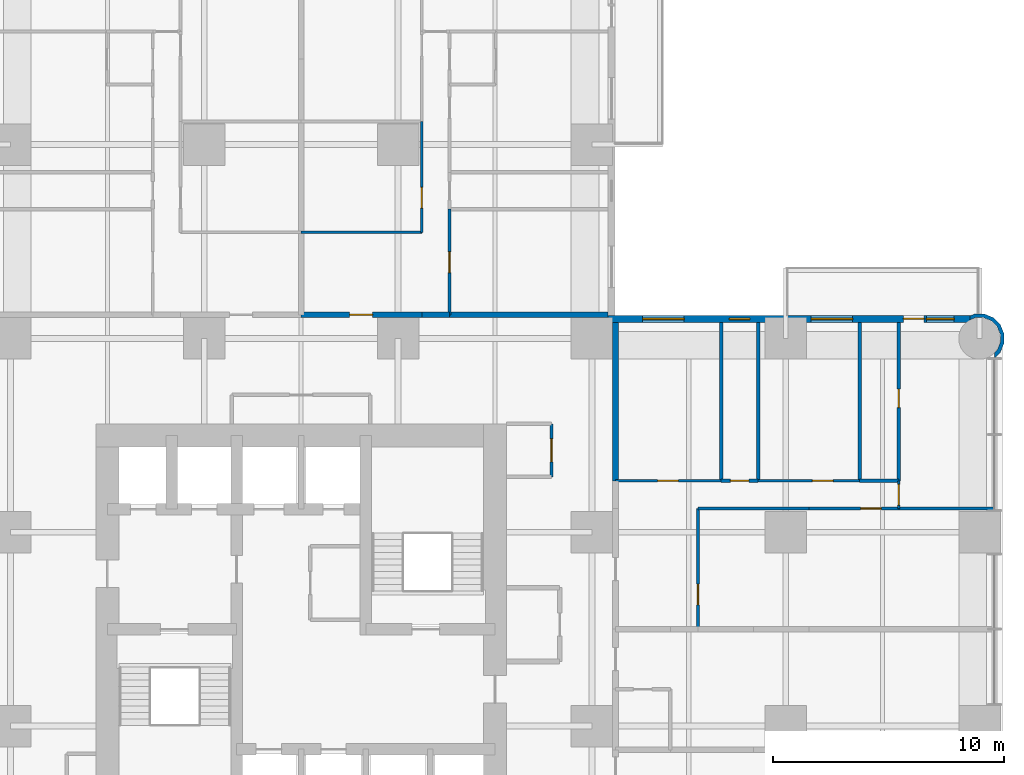
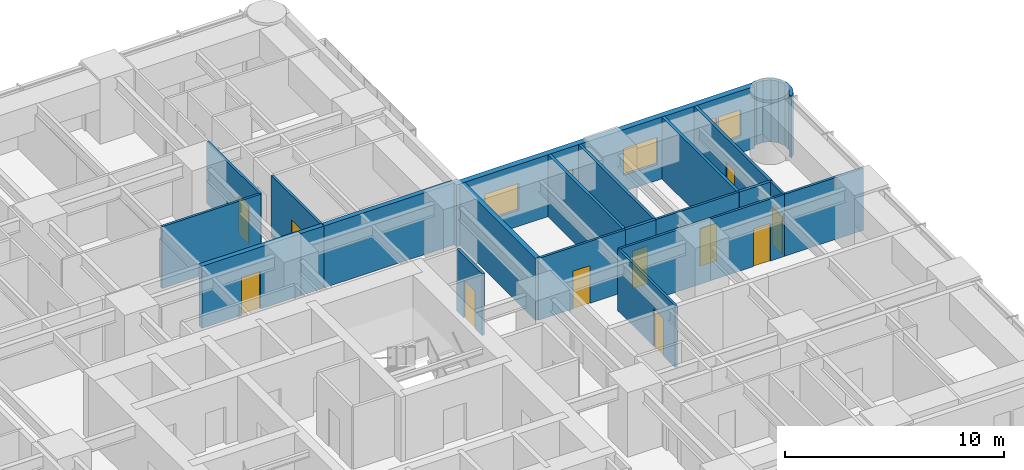
# One storey, part 14 of 17: 23 walls, 12 doors, 4 windows, 16 openings.
"""IFC4 building model written with IfcOpenShell, lengths in metres."""

from ifc_helpers import new_model, si_unit, direction, frame, frame_2d, origin, place, context, subcontext, project, spatial, polyline, rectangle, outline, extrude, material, layer, layer_set, type_object, element, fill, save


model = new_model("IFC4")

# Units and contexts
model_context = context("Model", 3, precision=1e-05, world=origin(), true_north=direction((0.0, 1.0)))
body_context = subcontext(model_context, "Body", "Model", "MODEL_VIEW")
ifc_project = project(units=[si_unit("LENGTHUNIT", "METRE"), si_unit("AREAUNIT", "SQUARE_METRE"), si_unit("VOLUMEUNIT", "CUBIC_METRE"), si_unit("PLANEANGLEUNIT", "RADIAN"), si_unit("MASSUNIT", "GRAM", prefix="KILO")], contexts=[model_context])

# Site, building, storey
site_placement = place(None, origin())
site = spatial("IfcSite", under=ifc_project, at=site_placement, CompositionType="ELEMENT")
building_placement = place(site_placement, origin())
building = spatial("IfcBuilding", under=site, at=building_placement, Name="Torre Alcanfor", CompositionType="ELEMENT")
storey_placement = place(building_placement, frame((0.0, 0.0, 56.10009765625)))
storey = spatial("IfcBuildingStorey", under=building, at=storey_placement, Name="L13", CompositionType="ELEMENT", Elevation=56.10009765625)

# Wall, opening, door
ifc_material_1 = material(Name="Concrete block masonry, hollow blocks NMX-C-404 9 MPa", Category="masonry")
ifc_layer_1 = layer(ifc_material_1, 0.25)
ifc_layer_set_1 = layer_set([ifc_layer_1], Name="Apartment entrance wall 250 EI 60")
wall_type_1 = type_object("IfcWallType", Name="Apartment entrance wall 250 EI 60", PredefinedType="PARTITIONING", material=ifc_layer_set_1)
wall_1_placement = place(storey_placement, frame((29.39990234375, 43.02490234375, 0.0), z_axis=(0.0, 0.0, 1.0), x_axis=(1.0, 0.0, 0.0)))
wall_1 = element("IfcWall", 1, at=wall_1_placement, inside=storey, type_object=wall_type_1, Name="Partition L13-CORR / L13-N2-ZAG", PredefinedType="PARTITIONING", context=body_context, shape_type="SweptSolid", body=[
    extrude(rectangle(XDim=5.22900390625, YDim=0.25, at=frame_2d((2.614501953125, 0.0))), origin(), (0.0, 0.0, 1.0), 3.449951171875),
])
opening_1_placement = place(wall_1_placement, frame((2.10009765625, 0.0, 0.0)))
opening_1 = element("IfcOpeningElement", 2, at=opening_1_placement, cuts=wall_1, Name="Opening D-A1", PredefinedType="OPENING", context=body_context, shape_type="SweptSolid", body=[
    extrude(rectangle(XDim=1.0, YDim=2.10009765625, at=frame_2d((0.5, 1.050048828125))), frame((0.0, 0.135009765625, 0.0), z_axis=(0.0, -1.0, 0.0), x_axis=(1.0, 0.0, 0.0)), (0.0, 0.0, 1.0), 0.27001953125),
])
ifc_material_2 = material(Name="Galvanised steel sheet ASTM A653", Category="steel")
door_type_1 = type_object("IfcDoorType", Name="Apartment entrance door FD60 1000x2100", OperationType="SINGLE_SWING_LEFT", PredefinedType="DOOR", material=ifc_material_2)
door_1_placement = place(opening_1_placement, origin())
door_1 = element("IfcDoor", 3, at=door_1_placement, inside=storey, type_object=door_type_1, Name="Apartment entrance L13-N2", OperationType="SINGLE_SWING_LEFT", OverallHeight=2.10009765625, OverallWidth=1.0, PredefinedType="DOOR", context=body_context, shape_type="SweptSolid", body=[
    extrude(rectangle(XDim=1.0, YDim=2.10009765625, at=frame_2d((0.5, 1.050048828125))), frame((0.0, 0.02490234375, 0.0), z_axis=(0.0, -1.0, 0.0), x_axis=(1.0, 0.0, 0.0)), (0.0, 0.0, 1.0), 0.050048828125),
])
fill(opening_1, door_1)

# Walls
wall_2_placement = place(storey_placement, frame((34.62890625, 43.02490234375, 0.0), z_axis=(0.0, 0.0, 1.0), x_axis=(1.0, 0.0, 0.0)))
element("IfcWall", 4, at=wall_2_placement, inside=storey, type_object=wall_type_1, Name="Partition L13-CORR / L13-N2-HALL", PredefinedType="PARTITIONING", context=body_context, shape_type="SweptSolid", body=[
    extrude(rectangle(XDim=1.2001953125, YDim=0.25, at=frame_2d((0.60009765625, 0.0))), origin(), (0.0, 0.0, 1.0), 3.449951171875),
])
for number, where, z_axis, x_axis, name in (
    (5, (35.8291015625, 43.02490234375, 0.0), (0.0, 0.0, 1.0), (1.0, 0.0, 0.0), "Partition L13-CORR / L13-N2-BED2"),
    (6, (43.02490234375, 42.699951171875, 0.0), (0.0, 0.0, 1.0), (0.0, -1.0, 0.0), "Partition L13-CORR / L13-E1-BED3"),
):
    element("IfcWall", number, at=place(storey_placement, frame(where, z_axis=z_axis, x_axis=x_axis)), inside=storey, type_object=wall_type_1, Name=name, PredefinedType="PARTITIONING", context=body_context, shape_type="SweptSolid", body=[
        extrude(rectangle(XDim=6.870849609375, YDim=0.25, at=frame_2d((3.435546875, 0.0))), origin(), (0.0, 0.0, 1.0), 3.449951171875),
    ])
ifc_material_3 = material(Name="Gypsum board on steel studs", Category="steel")
ifc_layer_2 = layer(ifc_material_3, 0.1201171875)
ifc_layer_set_2 = layer_set([ifc_layer_2], Name="Apartment partition 120")
wall_type_2 = type_object("IfcWallType", Name="Apartment partition 120", PredefinedType="PARTITIONING", material=ifc_layer_set_2)
wall_3_placement = place(storey_placement, frame((29.39990234375, 46.60009765625, 0.0), z_axis=(0.0, 0.0, 1.0), x_axis=(1.0, 0.0, 0.0)))
element("IfcWall", 7, at=wall_3_placement, inside=storey, type_object=wall_type_2, Name="Partition L13-N2-ZAG / L13-N2-FAMILY", PredefinedType="PARTITIONING", context=body_context, shape_type="SweptSolid", body=[
    extrude(rectangle(XDim=5.22900390625, YDim=0.1201171875, at=frame_2d((2.614501953125, 0.0))), origin(), (0.0, 0.0, 1.0), 3.449951171875),
])

# Wall, opening, door
wall_4_placement = place(storey_placement, frame((34.62890625, 51.39990234375, 0.0), z_axis=(0.0, 0.0, 1.0), x_axis=(0.0, -1.0, 0.0)))
wall_4 = element("IfcWall", 8, at=wall_4_placement, inside=storey, type_object=wall_type_2, Name="Partition L13-N2-FAMILY / L13-N2-HALL", PredefinedType="PARTITIONING", context=body_context, shape_type="SweptSolid", body=[
    extrude(rectangle(XDim=4.7998046875, YDim=0.1201171875, at=frame_2d((2.39990234375, 0.0))), origin(), (0.0, 0.0, 1.0), 3.449951171875),
])
opening_2_placement = place(wall_4_placement, frame((2.85009765625, 0.0, 0.0)))
opening_2 = element("IfcOpeningElement", 9, at=opening_2_placement, cuts=wall_4, Name="Opening D-R1", PredefinedType="OPENING", context=body_context, shape_type="SweptSolid", body=[
    extrude(rectangle(XDim=0.89990234375, YDim=2.10009765625, at=frame_2d((0.449951171875, 1.050048828125))), frame((0.0, 0.070068359375, 0.0), z_axis=(0.0, -1.0, 0.0), x_axis=(1.0, 0.0, 0.0)), (0.0, 0.0, 1.0), 0.14013671875),
])
ifc_material_4 = material(Name="Timber", Category="wood")
door_type_2 = type_object("IfcDoorType", Name="Internal door 900x2100", OperationType="SINGLE_SWING_LEFT", PredefinedType="DOOR", material=ifc_material_4)
door_2_placement = place(opening_2_placement, frame((0.89990234375, 0.0, 0.0), z_axis=(0.0, 0.0, 1.0), x_axis=(-1.0, 0.0, 0.0)))
door_2 = element("IfcDoor", 10, at=door_2_placement, inside=storey, type_object=door_type_2, Name="Door L13-N2 family", OperationType="SINGLE_SWING_LEFT", OverallHeight=2.10009765625, OverallWidth=0.89990234375, PredefinedType="DOOR", context=body_context, shape_type="SweptSolid", body=[
    extrude(rectangle(XDim=0.89990234375, YDim=2.10009765625, at=frame_2d((0.449951171875, 1.050048828125))), frame((0.0, 0.025146484375, 0.0), z_axis=(0.0, -1.0, 0.0), x_axis=(1.0, 0.0, 0.0)), (0.0, 0.0, 1.0), 0.050048828125),
])
fill(opening_2, door_2)

wall_5_placement = place(storey_placement, frame((35.8291015625, 47.60009765625, 0.0), z_axis=(0.0, 0.0, 1.0), x_axis=(0.0, -1.0, 0.0)))
wall_5 = element("IfcWall", 11, at=wall_5_placement, inside=storey, type_object=wall_type_2, Name="Partition L13-N2-HALL / L13-N2-BED2", PredefinedType="PARTITIONING", context=body_context, shape_type="SweptSolid", body=[
    extrude(rectangle(XDim=4.5751953125, YDim=0.1201171875, at=frame_2d((2.28759765625, 0.0))), origin(), (0.0, 0.0, 1.0), 3.449951171875),
])
opening_3_placement = place(wall_5_placement, frame((1.85009765625, 0.0, 0.0)))
opening_3 = element("IfcOpeningElement", 12, at=opening_3_placement, cuts=wall_5, Name="Opening D-R1", PredefinedType="OPENING", context=body_context, shape_type="SweptSolid", body=[
    extrude(rectangle(XDim=0.89990234375, YDim=2.10009765625, at=frame_2d((0.449951171875, 1.050048828125))), frame((0.0, 0.070068359375, 0.0), z_axis=(0.0, -1.0, 0.0), x_axis=(1.0, 0.0, 0.0)), (0.0, 0.0, 1.0), 0.14013671875),
])
door_3_placement = place(opening_3_placement, origin())
door_3 = element("IfcDoor", 13, at=door_3_placement, inside=storey, type_object=door_type_2, Name="Door L13-N2 bed2", OperationType="SINGLE_SWING_RIGHT", OverallHeight=2.10009765625, OverallWidth=0.89990234375, PredefinedType="DOOR", context=body_context, shape_type="SweptSolid", body=[
    extrude(rectangle(XDim=0.89990234375, YDim=2.10009765625, at=frame_2d((0.449951171875, 1.050048828125))), frame((0.0, 0.02490234375, 0.0), z_axis=(0.0, -1.0, 0.0), x_axis=(1.0, 0.0, 0.0)), (0.0, 0.0, 1.0), 0.050048828125),
])
fill(opening_3, door_3)

wall_6_placement = place(storey_placement, frame((46.60009765625, 29.39990234375, 0.0), z_axis=(0.0, 0.0, 1.0), x_axis=(0.0, 1.0, 0.0)))
wall_6 = element("IfcWall", 14, at=wall_6_placement, inside=storey, type_object=wall_type_2, Name="Partition L13-E1-ZAG / L13-E1-KITCHEN", PredefinedType="PARTITIONING", context=body_context, shape_type="SweptSolid", body=[
    extrude(rectangle(XDim=5.22900390625, YDim=0.1201171875, at=frame_2d((2.614501953125, 0.0))), origin(), (0.0, 0.0, 1.0), 3.449951171875),
])
opening_4_placement = place(wall_6_placement, frame((1.050048828125, 0.0, 0.0)))
opening_4 = element("IfcOpeningElement", 15, at=opening_4_placement, cuts=wall_6, Name="Opening D-R1", PredefinedType="OPENING", context=body_context, shape_type="SweptSolid", body=[
    extrude(rectangle(XDim=0.89990234375, YDim=2.10009765625, at=frame_2d((0.449951171875, 1.050048828125))), frame((0.0, 0.070068359375, 0.0), z_axis=(0.0, -1.0, 0.0), x_axis=(1.0, 0.0, 0.0)), (0.0, 0.0, 1.0), 0.14013671875),
])
door_4_placement = place(opening_4_placement, frame((0.89990234375, 0.0, 0.0), z_axis=(0.0, 0.0, 1.0), x_axis=(-1.0, 0.0, 0.0)))
door_4 = element("IfcDoor", 16, at=door_4_placement, inside=storey, type_object=door_type_2, Name="Door L13-E1 kitchen", OperationType="SINGLE_SWING_RIGHT", OverallHeight=2.10009765625, OverallWidth=0.89990234375, PredefinedType="DOOR", context=body_context, shape_type="SweptSolid", body=[
    extrude(rectangle(XDim=0.89990234375, YDim=2.10009765625, at=frame_2d((0.449951171875, 1.050048828125))), frame((0.0, 0.025146484375, 0.0), z_axis=(0.0, -1.0, 0.0), x_axis=(1.0, 0.0, 0.0)), (0.0, 0.0, 1.0), 0.050048828125),
])
fill(opening_4, door_4)

# Wall
wall_7_placement = place(storey_placement, frame((51.39990234375, 34.62890625, 0.0), z_axis=(0.0, 0.0, 1.0), x_axis=(-1.0, 0.0, 0.0)))
element("IfcWall", 17, at=wall_7_placement, inside=storey, type_object=wall_type_2, Name="Partition L13-E1-KITCHEN / L13-E1-HALL", PredefinedType="PARTITIONING", context=body_context, shape_type="SweptSolid", body=[
    extrude(rectangle(XDim=4.7998046875, YDim=0.1201171875, at=frame_2d((2.39990234375, 0.0))), origin(), (0.0, 0.0, 1.0), 3.449951171875),
])

# Wall, opening, door
wall_8_placement = place(storey_placement, frame((55.300048828125, 34.62890625, 0.0), z_axis=(0.0, 0.0, 1.0), x_axis=(-1.0, 0.0, 0.0)))
wall_8 = element("IfcWall", 18, at=wall_8_placement, inside=storey, type_object=wall_type_2, Name="Partition L13-E1-LIVING / L13-E1-HALL", PredefinedType="PARTITIONING", context=body_context, shape_type="SweptSolid", body=[
    extrude(rectangle(XDim=3.900146484375, YDim=0.1201171875, at=frame_2d((1.9501953125, 0.0))), origin(), (0.0, 0.0, 1.0), 3.449951171875),
])
opening_5_placement = place(wall_8_placement, frame((0.75, 0.0, 0.0)))
opening_5 = element("IfcOpeningElement", 19, at=opening_5_placement, cuts=wall_8, Name="Opening D-R1", PredefinedType="OPENING", context=body_context, shape_type="SweptSolid", body=[
    extrude(rectangle(XDim=0.89990234375, YDim=2.10009765625, at=frame_2d((0.449951171875, 1.050048828125))), frame((0.0, 0.070068359375, 0.0), z_axis=(0.0, -1.0, 0.0), x_axis=(1.0, 0.0, 0.0)), (0.0, 0.0, 1.0), 0.14013671875),
])
door_5_placement = place(opening_5_placement, origin())
door_5 = element("IfcDoor", 20, at=door_5_placement, inside=storey, type_object=door_type_2, Name="Door L13-E1 living", OperationType="SINGLE_SWING_RIGHT", OverallHeight=2.10009765625, OverallWidth=0.89990234375, PredefinedType="DOOR", context=body_context, shape_type="SweptSolid", body=[
    extrude(rectangle(XDim=0.89990234375, YDim=2.10009765625, at=frame_2d((0.449951171875, 1.050048828125))), frame((0.0, 0.02490234375, 0.0), z_axis=(0.0, -1.0, 0.0), x_axis=(1.0, 0.0, 0.0)), (0.0, 0.0, 1.0), 0.050048828125),
])
fill(opening_5, door_5)

# Wall
wall_9_placement = place(storey_placement, frame((59.449951171875, 34.62890625, 0.0), z_axis=(0.0, 0.0, 1.0), x_axis=(-1.0, 0.0, 0.0)))
element("IfcWall", 21, at=wall_9_placement, inside=storey, type_object=wall_type_2, Name="Partition L13-E1-LIVING / L13-E1-MASTER", PredefinedType="PARTITIONING", context=body_context, shape_type="SweptSolid", body=[
    extrude(rectangle(XDim=4.14990234375, YDim=0.1201171875, at=frame_2d((2.074951171875, 0.0))), origin(), (0.0, 0.0, 1.0), 3.449951171875),
])

# Wall, opening, door
wall_10_placement = place(storey_placement, frame((47.60009765625, 35.8291015625, 0.0), z_axis=(0.0, 0.0, 1.0), x_axis=(-1.0, 0.0, 0.0)))
wall_10 = element("IfcWall", 22, at=wall_10_placement, inside=storey, type_object=wall_type_2, Name="Partition L13-E1-HALL / L13-E1-BED3", PredefinedType="PARTITIONING", context=body_context, shape_type="SweptSolid", body=[
    extrude(rectangle(XDim=4.5751953125, YDim=0.1201171875, at=frame_2d((2.28759765625, 0.0))), origin(), (0.0, 0.0, 1.0), 3.449951171875),
])
opening_6_placement = place(wall_10_placement, frame((1.85009765625, 0.0, 0.0)))
opening_6 = element("IfcOpeningElement", 23, at=opening_6_placement, cuts=wall_10, Name="Opening D-R1", PredefinedType="OPENING", context=body_context, shape_type="SweptSolid", body=[
    extrude(rectangle(XDim=0.89990234375, YDim=2.10009765625, at=frame_2d((0.449951171875, 1.050048828125))), frame((0.0, 0.070068359375, 0.0), z_axis=(0.0, -1.0, 0.0), x_axis=(1.0, 0.0, 0.0)), (0.0, 0.0, 1.0), 0.14013671875),
])
door_6_placement = place(opening_6_placement, frame((0.89990234375, 0.0, 0.0), z_axis=(0.0, 0.0, 1.0), x_axis=(-1.0, 0.0, 0.0)))
door_6 = element("IfcDoor", 24, at=door_6_placement, inside=storey, type_object=door_type_2, Name="Door L13-E1 bed3", OperationType="SINGLE_SWING_LEFT", OverallHeight=2.10009765625, OverallWidth=0.89990234375, PredefinedType="DOOR", context=body_context, shape_type="SweptSolid", body=[
    extrude(rectangle(XDim=0.89990234375, YDim=2.10009765625, at=frame_2d((0.449951171875, 1.050048828125))), frame((0.0, 0.025146484375, 0.0), z_axis=(0.0, -1.0, 0.0), x_axis=(1.0, 0.0, 0.0)), (0.0, 0.0, 1.0), 0.050048828125),
])
fill(opening_6, door_6)

wall_11_placement = place(storey_placement, frame((53.60009765625, 35.8291015625, 0.0), z_axis=(0.0, 0.0, 1.0), x_axis=(-1.0, 0.0, 0.0)))
wall_11 = element("IfcWall", 25, at=wall_11_placement, inside=storey, type_object=wall_type_2, Name="Partition L13-E1-HALL / L13-E1-BED2", PredefinedType="PARTITIONING", context=body_context, shape_type="SweptSolid", body=[
    extrude(rectangle(XDim=4.400146484375, YDim=0.1201171875, at=frame_2d((2.2001953125, 0.0))), origin(), (0.0, 0.0, 1.0), 3.449951171875),
])
opening_7_placement = place(wall_11_placement, frame((1.14990234375, 0.0, 0.0)))
opening_7 = element("IfcOpeningElement", 26, at=opening_7_placement, cuts=wall_11, Name="Opening D-R1", PredefinedType="OPENING", context=body_context, shape_type="SweptSolid", body=[
    extrude(rectangle(XDim=0.89990234375, YDim=2.10009765625, at=frame_2d((0.449951171875, 1.050048828125))), frame((0.0, 0.070068359375, 0.0), z_axis=(0.0, -1.0, 0.0), x_axis=(1.0, 0.0, 0.0)), (0.0, 0.0, 1.0), 0.14013671875),
])
door_7_placement = place(opening_7_placement, frame((0.89990234375, 0.0, 0.0), z_axis=(0.0, 0.0, 1.0), x_axis=(-1.0, 0.0, 0.0)))
door_7 = element("IfcDoor", 27, at=door_7_placement, inside=storey, type_object=door_type_2, Name="Door L13-E1 bed2", OperationType="SINGLE_SWING_RIGHT", OverallHeight=2.10009765625, OverallWidth=0.89990234375, PredefinedType="DOOR", context=body_context, shape_type="SweptSolid", body=[
    extrude(rectangle(XDim=0.89990234375, YDim=2.10009765625, at=frame_2d((0.449951171875, 1.050048828125))), frame((0.0, 0.025146484375, 0.0), z_axis=(0.0, -1.0, 0.0), x_axis=(1.0, 0.0, 0.0)), (0.0, 0.0, 1.0), 0.050048828125),
])
fill(opening_7, door_7)

wall_12_placement = place(storey_placement, frame((55.300048828125, 34.62890625, 0.0), z_axis=(0.0, 0.0, 1.0), x_axis=(0.0, 1.0, 0.0)))
wall_12 = element("IfcWall", 28, at=wall_12_placement, inside=storey, type_object=wall_type_2, Name="Partition L13-E1-HALL / L13-E1-MASTER", PredefinedType="PARTITIONING", context=body_context, shape_type="SweptSolid", body=[
    extrude(rectangle(XDim=1.2001953125, YDim=0.1201171875, at=frame_2d((0.60009765625, 0.0))), origin(), (0.0, 0.0, 1.0), 3.449951171875),
])
opening_8_placement = place(wall_12_placement, frame((0.15087890625, 0.0, 0.0)))
opening_8 = element("IfcOpeningElement", 29, at=opening_8_placement, cuts=wall_12, Name="Opening D-R1", PredefinedType="OPENING", context=body_context, shape_type="SweptSolid", body=[
    extrude(rectangle(XDim=0.89990234375, YDim=2.10009765625, at=frame_2d((0.449951171875, 1.050048828125))), frame((0.0, 0.070068359375, 0.0), z_axis=(0.0, -1.0, 0.0), x_axis=(1.0, 0.0, 0.0)), (0.0, 0.0, 1.0), 0.14013671875),
])
door_8_placement = place(opening_8_placement, frame((0.89990234375, 0.0, 0.0), z_axis=(0.0, 0.0, 1.0), x_axis=(-1.0, 0.0, 0.0)))
door_8 = element("IfcDoor", 30, at=door_8_placement, inside=storey, type_object=door_type_2, Name="Door L13-E1 master", OperationType="SINGLE_SWING_RIGHT", OverallHeight=2.10009765625, OverallWidth=0.89990234375, PredefinedType="DOOR", context=body_context, shape_type="SweptSolid", body=[
    extrude(rectangle(XDim=0.89990234375, YDim=2.10009765625, at=frame_2d((0.449951171875, 1.050048828125))), frame((0.0, 0.025146484375, 0.0), z_axis=(0.0, -1.0, 0.0), x_axis=(1.0, 0.0, 0.0)), (0.0, 0.0, 1.0), 0.050048828125),
])
fill(opening_8, door_8)

# Wall, openings, door, windows
ifc_material_5 = material(Name="Limestone cladding", Category="masonry")
ifc_layer_3 = layer(ifc_material_5, 0.0400390625, Name="Facing")
ifc_material_6 = material(Name="Ventilated air cavity")
ifc_layer_4 = layer(ifc_material_6, 0.02001953125, ventilated=True, Name="Ventilated joint")
ifc_material_7 = material(Name="Mineral wool insulation", Category="insulation")
ifc_layer_5 = layer(ifc_material_7, 0.10009765625, Name="Insulation")
ifc_material_8 = material(Name="Concrete f'c 35 MPa", Category="concrete")
ifc_layer_6 = layer(ifc_material_8, 0.139892578125, Name="Backing")
ifc_layer_set_3 = layer_set([ifc_layer_3, ifc_layer_4, ifc_layer_5, ifc_layer_6], Name="External wall stone-clad 300")
wall_type_3 = type_object("IfcWallType", Name="External wall stone-clad 300", PredefinedType="SOLIDWALL", material=ifc_layer_set_3)
wall_13_placement = place(storey_placement, frame((58.39990234375, 42.85009765625, 0.0), z_axis=(0.0, 0.0, 1.0), x_axis=(-1.0, 0.0, 0.0)))
wall_13 = element("IfcWall", 31, at=wall_13_placement, inside=storey, type_object=wall_type_3, Name="External wall L13 9", PredefinedType="SOLIDWALL", context=body_context, shape_type="SweptSolid", body=[
    extrude(rectangle(XDim=15.699951171875, YDim=0.300048828125, at=frame_2d((7.85009765625, 0.0))), origin(), (0.0, 0.0, 1.0), 3.449951171875),
])
opening_9_placement = place(wall_13_placement, frame((12.39990234375, 0.0, 0.89990234375)))
opening_9 = element("IfcOpeningElement", 32, at=opening_9_placement, cuts=wall_13, Name="Opening W2", PredefinedType="OPENING", context=body_context, shape_type="SweptSolid", body=[
    extrude(rectangle(XDim=1.800048828125, YDim=1.5, at=frame_2d((0.89990234375, 0.75))), frame((0.0, 0.159912109375, 0.0), z_axis=(0.0, -1.0, 0.0), x_axis=(1.0, 0.0, 0.0)), (0.0, 0.0, 1.0), 0.320068359375),
])
opening_10_placement = place(wall_13_placement, frame((9.550048828125, 0.0, 1.5)))
opening_10 = element("IfcOpeningElement", 33, at=opening_10_placement, cuts=wall_13, Name="Opening W3", PredefinedType="OPENING", context=body_context, shape_type="SweptSolid", body=[
    extrude(rectangle(XDim=0.89990234375, YDim=0.699951171875, at=frame_2d((0.449951171875, 0.35009765625))), frame((0.0, 0.159912109375, 0.0), z_axis=(0.0, -1.0, 0.0), x_axis=(1.0, 0.0, 0.0)), (0.0, 0.0, 1.0), 0.320068359375),
])
opening_11_placement = place(wall_13_placement, frame((5.10009765625, 0.0, 0.89990234375)))
opening_11 = element("IfcOpeningElement", 34, at=opening_11_placement, cuts=wall_13, Name="Opening W2", PredefinedType="OPENING", context=body_context, shape_type="SweptSolid", body=[
    extrude(rectangle(XDim=1.800048828125, YDim=1.5, at=frame_2d((0.89990234375, 0.75))), frame((0.0, 0.159912109375, 0.0), z_axis=(0.0, -1.0, 0.0), x_axis=(1.0, 0.0, 0.0)), (0.0, 0.0, 1.0), 0.320068359375),
])
opening_12_placement = place(wall_13_placement, frame((2.0, 0.0, 0.0)))
opening_12 = element("IfcOpeningElement", 35, at=opening_12_placement, cuts=wall_13, Name="Opening D-B1", PredefinedType="OPENING", context=body_context, shape_type="SweptSolid", body=[
    extrude(rectangle(XDim=0.89990234375, YDim=2.39990234375, at=frame_2d((0.449951171875, 1.199951171875))), frame((0.0, 0.159912109375, 0.0), z_axis=(0.0, -1.0, 0.0), x_axis=(1.0, 0.0, 0.0)), (0.0, 0.0, 1.0), 0.320068359375),
])
opening_13_placement = place(wall_13_placement, frame((0.699951171875, 0.0, 0.89990234375)))
opening_13 = element("IfcOpeningElement", 36, at=opening_13_placement, cuts=wall_13, Name="Opening W4", PredefinedType="OPENING", context=body_context, shape_type="SweptSolid", body=[
    extrude(rectangle(XDim=1.199951171875, YDim=1.5, at=frame_2d((0.60009765625, 0.75))), frame((0.0, 0.159912109375, 0.0), z_axis=(0.0, -1.0, 0.0), x_axis=(1.0, 0.0, 0.0)), (0.0, 0.0, 1.0), 0.320068359375),
])
ifc_material_9 = material(Name="Aluminium and glass", Category="aluminium")
door_type_3 = type_object("IfcDoorType", Name="Balcony door glazed 900x2400", OperationType="SINGLE_SWING_LEFT", PredefinedType="DOOR", material=ifc_material_9)
door_9_placement = place(opening_12_placement, origin())
door_9 = element("IfcDoor", 37, at=door_9_placement, inside=storey, type_object=door_type_3, Name="Balcony door L13-E1", OperationType="SINGLE_SWING_RIGHT", OverallHeight=2.39990234375, OverallWidth=0.89990234375, PredefinedType="DOOR", context=body_context, shape_type="SweptSolid", body=[
    extrude(rectangle(XDim=0.89990234375, YDim=2.39990234375, at=frame_2d((0.449951171875, 1.199951171875))), frame((0.0, 0.02490234375, 0.0), z_axis=(0.0, -1.0, 0.0), x_axis=(1.0, 0.0, 0.0)), (0.0, 0.0, 1.0), 0.050048828125),
])
fill(opening_12, door_9)
ifc_material_10 = material(Name="Aluminium frame with clear double glazing", Category="aluminium")
window_type_1 = type_object("IfcWindowType", Name="Window bathroom 900x700", PartitioningType="SINGLE_PANEL", PredefinedType="WINDOW", material=ifc_material_10)
window_1_placement = place(opening_10_placement, origin())
window_1 = element("IfcWindow", 38, at=window_1_placement, inside=storey, type_object=window_type_1, Name="Window W3 L13-E1", OverallHeight=0.699951171875, OverallWidth=0.89990234375, PartitioningType="SINGLE_PANEL", PredefinedType="WINDOW", context=body_context, shape_type="SweptSolid", body=[
    extrude(rectangle(XDim=0.89990234375, YDim=0.699951171875, at=frame_2d((0.449951171875, 0.35009765625))), frame((0.0, 0.030029296875, 0.0), z_axis=(0.0, -1.0, 0.0), x_axis=(1.0, 0.0, 0.0)), (0.0, 0.0, 1.0), 0.06005859375),
])
fill(opening_10, window_1)
ifc_material_11 = material(Name="Aluminium frame with clear double glazing", Category="aluminium")
window_type_2 = type_object("IfcWindowType", Name="Window bedroom 1200x1500", PartitioningType="SINGLE_PANEL", PredefinedType="WINDOW", material=ifc_material_11)
window_2_placement = place(opening_13_placement, origin())
window_2 = element("IfcWindow", 39, at=window_2_placement, inside=storey, type_object=window_type_2, Name="Window W4 L13-E1", OverallHeight=1.5, OverallWidth=1.199951171875, PartitioningType="SINGLE_PANEL", PredefinedType="WINDOW", context=body_context, shape_type="SweptSolid", body=[
    extrude(rectangle(XDim=1.199951171875, YDim=1.5, at=frame_2d((0.60009765625, 0.75))), frame((0.0, 0.030029296875, 0.0), z_axis=(0.0, -1.0, 0.0), x_axis=(1.0, 0.0, 0.0)), (0.0, 0.0, 1.0), 0.06005859375),
])
fill(opening_13, window_2)
ifc_material_12 = material(Name="Aluminium frame with clear double glazing", Category="aluminium")
window_type_3 = type_object("IfcWindowType", Name="Window bedroom 1800x1500", PartitioningType="SINGLE_PANEL", PredefinedType="WINDOW", material=ifc_material_12)
window_3_placement = place(opening_9_placement, origin())
window_3 = element("IfcWindow", 40, at=window_3_placement, inside=storey, type_object=window_type_3, Name="Window W2 L13-E1", OverallHeight=1.5, OverallWidth=1.800048828125, PartitioningType="SINGLE_PANEL", PredefinedType="WINDOW", context=body_context, shape_type="SweptSolid", body=[
    extrude(rectangle(XDim=1.800048828125, YDim=1.5, at=frame_2d((0.89990234375, 0.75))), frame((0.0, 0.030029296875, 0.0), z_axis=(0.0, -1.0, 0.0), x_axis=(1.0, 0.0, 0.0)), (0.0, 0.0, 1.0), 0.06005859375),
])
fill(opening_9, window_3)
window_4_placement = place(opening_11_placement, origin())
window_4 = element("IfcWindow", 41, at=window_4_placement, inside=storey, type_object=window_type_3, Name="Window W2 L13-E1", OverallHeight=1.5, OverallWidth=1.800048828125, PartitioningType="SINGLE_PANEL", PredefinedType="WINDOW", context=body_context, shape_type="SweptSolid", body=[
    extrude(rectangle(XDim=1.800048828125, YDim=1.5, at=frame_2d((0.89990234375, 0.75))), frame((0.0, 0.030029296875, 0.0), z_axis=(0.0, -1.0, 0.0), x_axis=(1.0, 0.0, 0.0)), (0.0, 0.0, 1.0), 0.06005859375),
])
fill(opening_11, window_4)

# Wall, opening, door
ifc_material_13 = material(Name="Concrete block masonry, hollow blocks NMX-C-404 9 MPa", Category="masonry")
ifc_layer_7 = layer(ifc_material_13, 0.14990234375)
ifc_layer_set_4 = layer_set([ifc_layer_7], Name="Residents' room partition 150")
wall_type_4 = type_object("IfcWallType", Name="Residents' room partition 150", PredefinedType="PARTITIONING", material=ifc_layer_set_4)
wall_14_placement = place(storey_placement, frame((40.25, 36.0, 0.0), z_axis=(0.0, 0.0, 1.0), x_axis=(0.0, 1.0, 0.0)))
wall_14 = element("IfcWall", 42, at=wall_14_placement, inside=storey, type_object=wall_type_4, Name="Partition L13-CORR / L13-G03", PredefinedType="PARTITIONING", context=body_context, shape_type="SweptSolid", body=[
    extrude(rectangle(XDim=2.300048828125, YDim=0.14990234375, at=frame_2d((1.14990234375, 0.0))), origin(), (0.0, 0.0, 1.0), 3.449951171875),
])
opening_14_placement = place(wall_14_placement, frame((0.64990234375, 0.0, 0.0)))
opening_14 = element("IfcOpeningElement", 43, at=opening_14_placement, cuts=wall_14, Name="Opening D-M1", PredefinedType="OPENING", context=body_context, shape_type="SweptSolid", body=[
    extrude(rectangle(XDim=1.0, YDim=2.10009765625, at=frame_2d((0.5, 1.050048828125))), frame((0.0, 0.0849609375, 0.0), z_axis=(0.0, -1.0, 0.0), x_axis=(1.0, 0.0, 0.0)), (0.0, 0.0, 1.0), 0.169921875),
])
ifc_material_14 = material(Name="Timber", Category="wood")
door_type_4 = type_object("IfcDoorType", Name="Residents' room door 1000x2100", OperationType="SINGLE_SWING_LEFT", PredefinedType="DOOR", material=ifc_material_14)
door_10_placement = place(opening_14_placement, origin())
door_10 = element("IfcDoor", 44, at=door_10_placement, inside=storey, type_object=door_type_4, Name="Door L13-G03 parcel room", OperationType="SINGLE_SWING_LEFT", OverallHeight=2.10009765625, OverallWidth=1.0, PredefinedType="DOOR", context=body_context, shape_type="SweptSolid", body=[
    extrude(rectangle(XDim=1.0, YDim=2.10009765625, at=frame_2d((0.5, 1.050048828125))), frame((0.0, 0.02490234375, 0.0), z_axis=(0.0, -1.0, 0.0), x_axis=(1.0, 0.0, 0.0)), (0.0, 0.0, 1.0), 0.050048828125),
])
fill(opening_14, door_10)

# Wall
ifc_layer_8 = layer(ifc_material_5, 0.0400390625, Name="Facing")
ifc_layer_9 = layer(ifc_material_6, 0.02001953125, ventilated=True, Name="Ventilated joint")
ifc_layer_10 = layer(ifc_material_7, 0.10009765625, Name="Insulation")
ifc_layer_11 = layer(ifc_material_8, 0.139892578125, Name="Backing")
ifc_layer_set_5 = layer_set([ifc_layer_8, ifc_layer_9, ifc_layer_10, ifc_layer_11], Name="Rounded corner pier stone-clad 300")
wall_type_5 = type_object("IfcWallType", Name="Rounded corner pier stone-clad 300", PredefinedType="SOLIDWALL", material=ifc_layer_set_5)
wall_15_placement = place(storey_placement, frame((59.410519256, 41.23340608, 0.0), z_axis=(0.0, 0.0, 1.0), x_axis=(0.926129809145, 0.377204953059, 0.0)))
element("IfcWall", 45, at=wall_15_placement, inside=storey, type_object=wall_type_5, Name="Corner pier L13 18", PredefinedType="SOLIDWALL", context=body_context, shape_type="SweptSolid", body=[
    extrude(outline(polyline([(0.6260654471319579, 0.34524919711057256), (0.7850146045978224, 0.7355079985228963), (0.7823098124660501, 1.1573373086599013), (0.6187697625812524, 1.546081906916958), (0.31877691555394516, 1.8425152342918512), (-0.07170799176881437, 2.0015564828107086), (-0.24004949470661174, 2.000526523212158), (-0.2695944713928893, 2.0173049949130335), (-0.36998902843916337, 1.8407134525266757), (-0.10235758996356603, 1.8421635923174307), (0.22956588655630128, 1.7069739265237522), (0.4845024203782949, 1.4552530429107593), (0.6236098424040335, 1.1249645948716174), (0.6257138051575375, 0.7663837026280839), (0.49052413936385914, 0.43446022610821644), (0.23848505878743742, 0.1793896774287799), (0.09020527382959523, 0.11693875386038477), (0.010914877202648991, -0.0777384350249053), (0.02448123182880161, -0.08326389820448342), (0.32940601384662893, 0.045348441136258355), (0.47997135267738844, 0.19755163478368112), (0.49907282709518125, 0.19267151555903828), (0.5076193949673722, 0.22530566424262682), (0.6260654471319579, 0.34524919711057256)])), origin(), (0.0, 0.0, 1.0), 3.449951171875),
])

# Wall, opening, door
ifc_material_15 = material(Name="Cement board on steel studs", Category="steel")
ifc_layer_12 = layer(ifc_material_15, 0.14990234375)
ifc_layer_set_6 = layer_set([ifc_layer_12], Name="Wet area partition 150")
wall_type_6 = type_object("IfcWallType", Name="Wet area partition 150", PredefinedType="PARTITIONING", material=ifc_layer_set_6)
wall_16_placement = place(storey_placement, frame((49.199951171875, 35.8291015625, 0.0), z_axis=(0.0, 0.0, 1.0), x_axis=(-1.0, 0.0, 0.0)))
wall_16 = element("IfcWall", 46, at=wall_16_placement, inside=storey, type_object=wall_type_6, Name="Partition L13-E1-HALL / L13-E1-BATH1", PredefinedType="PARTITIONING", context=body_context, shape_type="SweptSolid", body=[
    extrude(rectangle(XDim=1.599853515625, YDim=0.14990234375, at=frame_2d((0.7998046875, 0.0))), origin(), (0.0, 0.0, 1.0), 3.449951171875),
])
opening_15_placement = place(wall_16_placement, frame((0.39990234375, 0.0, 0.0)))
opening_15 = element("IfcOpeningElement", 47, at=opening_15_placement, cuts=wall_16, Name="Opening D-R2", PredefinedType="OPENING", context=body_context, shape_type="SweptSolid", body=[
    extrude(rectangle(XDim=0.800048828125, YDim=2.10009765625, at=frame_2d((0.39990234375, 1.050048828125))), frame((0.0, 0.0849609375, 0.0), z_axis=(0.0, -1.0, 0.0), x_axis=(1.0, 0.0, 0.0)), (0.0, 0.0, 1.0), 0.169921875),
])
ifc_material_16 = material(Name="Timber", Category="wood")
door_type_5 = type_object("IfcDoorType", Name="Bathroom door 800x2100", OperationType="SINGLE_SWING_LEFT", PredefinedType="DOOR", material=ifc_material_16)
door_11_placement = place(opening_15_placement, frame((0.800048828125, 0.0, 0.0), z_axis=(0.0, 0.0, 1.0), x_axis=(-1.0, 0.0, 0.0)))
door_11 = element("IfcDoor", 48, at=door_11_placement, inside=storey, type_object=door_type_5, Name="Door L13-E1 bath1", OperationType="SINGLE_SWING_RIGHT", OverallHeight=2.10009765625, OverallWidth=0.800048828125, PredefinedType="DOOR", context=body_context, shape_type="SweptSolid", body=[
    extrude(rectangle(XDim=0.800048828125, YDim=2.10009765625, at=frame_2d((0.400146484375, 1.050048828125))), frame((0.0, 0.025146484375, 0.0), z_axis=(0.0, -1.0, 0.0), x_axis=(1.0, 0.0, 0.0)), (0.0, 0.0, 1.0), 0.050048828125),
])
fill(opening_15, door_11)

# Walls
wall_17_placement = place(storey_placement, frame((55.300048828125, 35.8291015625, 0.0), z_axis=(0.0, 0.0, 1.0), x_axis=(-1.0, 0.0, 0.0)))
element("IfcWall", 49, at=wall_17_placement, inside=storey, type_object=wall_type_6, Name="Partition L13-E1-HALL / L13-E1-ENSBATH", PredefinedType="PARTITIONING", context=body_context, shape_type="SweptSolid", body=[
    extrude(rectangle(XDim=1.699951171875, YDim=0.14990234375, at=frame_2d((0.85009765625, 0.0))), origin(), (0.0, 0.0, 1.0), 3.449951171875),
])
for number, where, z_axis, x_axis, name in (
    (50, (47.60009765625, 35.8291015625, 0.0), (0.0, 0.0, 1.0), (0.0, 1.0, 0.0), "Partition L13-E1-BED3 / L13-E1-BATH1"),
    (51, (49.199951171875, 35.8291015625, 0.0), (0.0, 0.0, 1.0), (0.0, 1.0, 0.0), "Partition L13-E1-BATH1 / L13-E1-BED2"),
    (52, (53.60009765625, 35.8291015625, 0.0), (0.0, 0.0, 1.0), (0.0, 1.0, 0.0), "Partition L13-E1-BED2 / L13-E1-ENSBATH"),
):
    element("IfcWall", number, at=place(storey_placement, frame(where, z_axis=z_axis, x_axis=x_axis)), inside=storey, type_object=wall_type_6, Name=name, PredefinedType="PARTITIONING", context=body_context, shape_type="SweptSolid", body=[
        extrude(rectangle(XDim=6.870849609375, YDim=0.14990234375, at=frame_2d((3.435546875, 0.0))), origin(), (0.0, 0.0, 1.0), 3.449951171875),
    ])

# Wall, opening, door
wall_18_placement = place(storey_placement, frame((55.300048828125, 35.8291015625, 0.0), z_axis=(0.0, 0.0, 1.0), x_axis=(0.0, 1.0, 0.0)))
wall_18 = element("IfcWall", 53, at=wall_18_placement, inside=storey, type_object=wall_type_6, Name="Partition L13-E1-ENSBATH / L13-E1-MASTER", PredefinedType="PARTITIONING", context=body_context, shape_type="SweptSolid", body=[
    extrude(rectangle(XDim=6.870849609375, YDim=0.14990234375, at=frame_2d((3.435546875, 0.0))), origin(), (0.0, 0.0, 1.0), 3.449951171875),
])
opening_16_placement = place(wall_18_placement, frame((3.1708984375, 0.0, 0.0)))
opening_16 = element("IfcOpeningElement", 54, at=opening_16_placement, cuts=wall_18, Name="Opening D-R2", PredefinedType="OPENING", context=body_context, shape_type="SweptSolid", body=[
    extrude(rectangle(XDim=0.800048828125, YDim=2.10009765625, at=frame_2d((0.39990234375, 1.050048828125))), frame((0.0, 0.0849609375, 0.0), z_axis=(0.0, -1.0, 0.0), x_axis=(1.0, 0.0, 0.0)), (0.0, 0.0, 1.0), 0.169921875),
])
door_12_placement = place(opening_16_placement, origin())
door_12 = element("IfcDoor", 55, at=door_12_placement, inside=storey, type_object=door_type_5, Name="Door L13-E1 ensbath", OperationType="SINGLE_SWING_RIGHT", OverallHeight=2.10009765625, OverallWidth=0.800048828125, PredefinedType="DOOR", context=body_context, shape_type="SweptSolid", body=[
    extrude(rectangle(XDim=0.800048828125, YDim=2.10009765625, at=frame_2d((0.39990234375, 1.050048828125))), frame((0.0, 0.02490234375, 0.0), z_axis=(0.0, -1.0, 0.0), x_axis=(1.0, 0.0, 0.0)), (0.0, 0.0, 1.0), 0.050048828125),
])
fill(opening_16, door_12)

save(model, "model.ifc")
